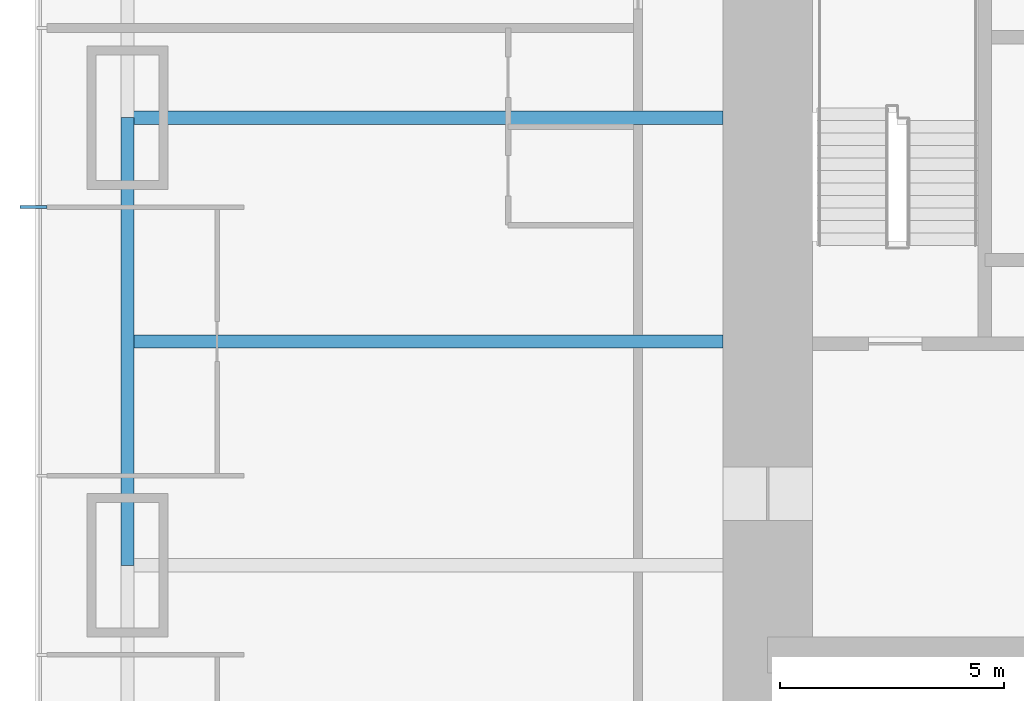
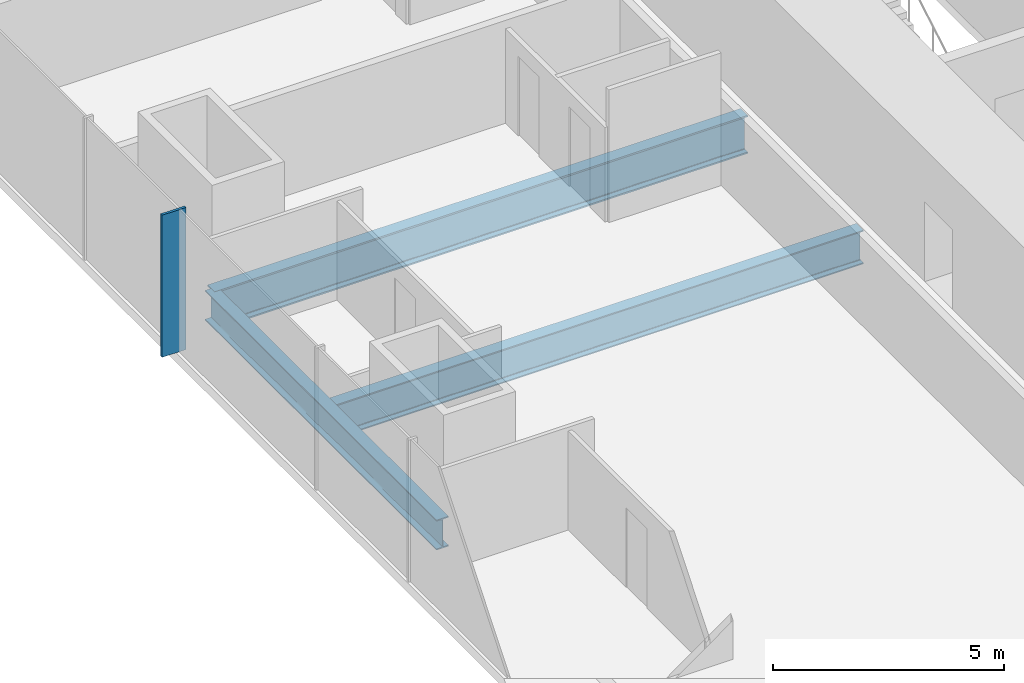
# One storey, part 3 of 17: 3 beams, 1 member, 1 element without a shape of its own.
"""IFC4 building model written with IfcOpenShell, lengths in metres."""

from ifc_helpers import new_model, si_unit, direction, frame, origin, origin_2d, place, context, subcontext, project, spatial, rectangle, i_section, extrude, material, material_profile, profile_set, type_object, element, aggregate, save


model = new_model("IFC4")

# Units and contexts
model_context = context("Model", 3, precision=1e-05, world=origin(), true_north=direction((0.0, 1.0)))
body_context = subcontext(model_context, "Body", "Model", "MODEL_VIEW")
ifc_project = project(units=[si_unit("LENGTHUNIT", "METRE"), si_unit("AREAUNIT", "SQUARE_METRE"), si_unit("VOLUMEUNIT", "CUBIC_METRE"), si_unit("PLANEANGLEUNIT", "RADIAN"), si_unit("MASSUNIT", "GRAM", prefix="KILO")], contexts=[model_context])

# Site, building, storey
site_placement = place(None, origin())
site = spatial("IfcSite", under=ifc_project, at=site_placement, CompositionType="ELEMENT")
building_placement = place(site_placement, origin())
building = spatial("IfcBuilding", under=site, at=building_placement, Name="Khuree Lantern Residences", CompositionType="ELEMENT")
storey_placement = place(building_placement, frame((0.0, 0.0, 36.0)))
storey = spatial("IfcBuildingStorey", under=building, at=storey_placement, Name="L08", CompositionType="ELEMENT", Elevation=36.0)

# Beams
ifc_material_1 = material(Name="Steel S355", Category="steel")
ifc_material_profile_1 = material_profile(ifc_material_1, i_section(OverallWidth=0.300048828125, OverallDepth=0.889892578125, WebThickness=0.01611328125, FlangeThickness=0.030029296875, FilletRadius=0.030029296875, at=origin_2d()), Name="HE 900 A")
ifc_profile_set_1 = profile_set([ifc_material_profile_1], Name="Steel S355")
beam_type_1 = type_object("IfcBeamType", Name="B-12 SECONDARY BEAM HE 900 A", PredefinedType="BEAM", material=ifc_profile_set_1)
beam_1_placement = place(storey_placement, frame((-29.800048828125, -5.0, -0.695068359375), z_axis=(1.0, 0.0, 0.0), x_axis=(0.0, 1.0, 0.0)))
element("IfcBeam", 1, at=beam_1_placement, inside=storey, type_object=beam_type_1, Name="Secondary beam W3", PredefinedType="BEAM", context=body_context, shape_type="SweptSolid", body=[
    extrude(i_section(OverallWidth=0.300048828125, OverallDepth=0.889892578125, WebThickness=0.01611328125, FlangeThickness=0.030029296875, FilletRadius=0.030029296875, at=origin_2d()), origin(), (0.0, 0.0, 1.0), 13.300048828125),
])
ifc_material_profile_2 = material_profile(ifc_material_1, i_section(OverallWidth=0.300048828125, OverallDepth=0.7900390625, WebThickness=0.014892578125, FlangeThickness=0.028076171875, FilletRadius=0.030029296875, at=origin_2d()), Name="HE 800 A")
ifc_profile_set_2 = profile_set([ifc_material_profile_2], Name="Steel S355")
beam_type_2 = type_object("IfcBeamType", Name="E-12 SPANDREL BEAM HE 800 A", PredefinedType="SPANDREL", material=ifc_profile_set_2)
beam_2_placement = place(storey_placement, frame((-29.800048828125, -10.0, -0.64501953125), z_axis=(0.0, 1.0, 0.0), x_axis=(-1.0, 0.0, 0.0)))
element("IfcBeam", 2, at=beam_2_placement, inside=storey, type_object=beam_type_2, Name="Spandrel beam W3", PredefinedType="SPANDREL", context=body_context, shape_type="SweptSolid", body=[
    extrude(i_section(OverallWidth=0.300048828125, OverallDepth=0.7900390625, WebThickness=0.014892578125, FlangeThickness=0.028076171875, FilletRadius=0.030029296875, at=origin_2d()), origin(), (0.0, 0.0, 1.0), 10.0),
])

# Curtain wall, member
ifc_material_2 = material(Name="Bronze anodised aluminium", Category="aluminium")
curtain_wall_type = type_object("IfcCurtainWallType", Name="CW-T1 TOWER FACE CURTAIN WALL", PredefinedType="USERDEFINED", material=ifc_material_2)
curtain_wall_placement = place(storey_placement, origin())
curtain_wall = element("IfcCurtainWall", 3, at=curtain_wall_placement, inside=storey, type_object=curtain_wall_type, Name="L08 WEST FACE CURTAIN WALL", ObjectType="Stick-built curtain wall", PredefinedType="USERDEFINED")
ifc_material_profile_3 = material_profile(ifc_material_2, rectangle(XDim=0.06494140625, YDim=0.60009765625, at=origin_2d()), Name="F1 65X600")
ifc_profile_set_3 = profile_set([ifc_material_profile_3], Name="Bronze anodised aluminium")
member_type = type_object("IfcMemberType", Name="F1 BRONZE FIN MULLION TOWER 65X600", PredefinedType="MULLION", material=ifc_profile_set_3)
member_placement = place(storey_placement, frame((-31.89990234375, -2.0, 0.0), z_axis=(0.0, 0.0, 1.0), x_axis=(0.0, -1.0, 0.0)))
member = element("IfcMember", 4, at=member_placement, type_object=member_type, Name="L08 WEST FACE FIN MULLION 38", PredefinedType="MULLION", context=body_context, shape_type="SweptSolid", body=[
    extrude(rectangle(XDim=0.06494140625, YDim=0.60009765625, at=origin_2d()), origin(), (0.0, 0.0, 1.0), 3.75),
])
aggregate(curtain_wall, [member])

# Beam
ifc_material_profile_4 = material_profile(ifc_material_1, i_section(OverallWidth=0.302001953125, OverallDepth=1.008056640625, WebThickness=0.02099609375, FlangeThickness=0.0400390625, FilletRadius=0.030029296875, at=origin_2d()), Name="HE 1000 M")
ifc_profile_set_4 = profile_set([ifc_material_profile_4], Name="Steel S355")
beam_type_3 = type_object("IfcBeamType", Name="G-12 GIRDER HE 1000 M", PredefinedType="BEAM", material=ifc_profile_set_4)
beam_3_placement = place(storey_placement, frame((-29.800048828125, 0.0, -0.75390625), z_axis=(1.0, 0.0, 0.0), x_axis=(0.0, 1.0, 0.0)))
element("IfcBeam", 5, at=beam_3_placement, inside=storey, type_object=beam_type_3, Name="Girder W3", PredefinedType="BEAM", context=body_context, shape_type="SweptSolid", body=[
    extrude(i_section(OverallWidth=0.302001953125, OverallDepth=1.008056640625, WebThickness=0.02099609375, FlangeThickness=0.0400390625, FilletRadius=0.030029296875, at=origin_2d()), origin(), (0.0, 0.0, 1.0), 13.300048828125),
])

save(model, "model.ifc")
